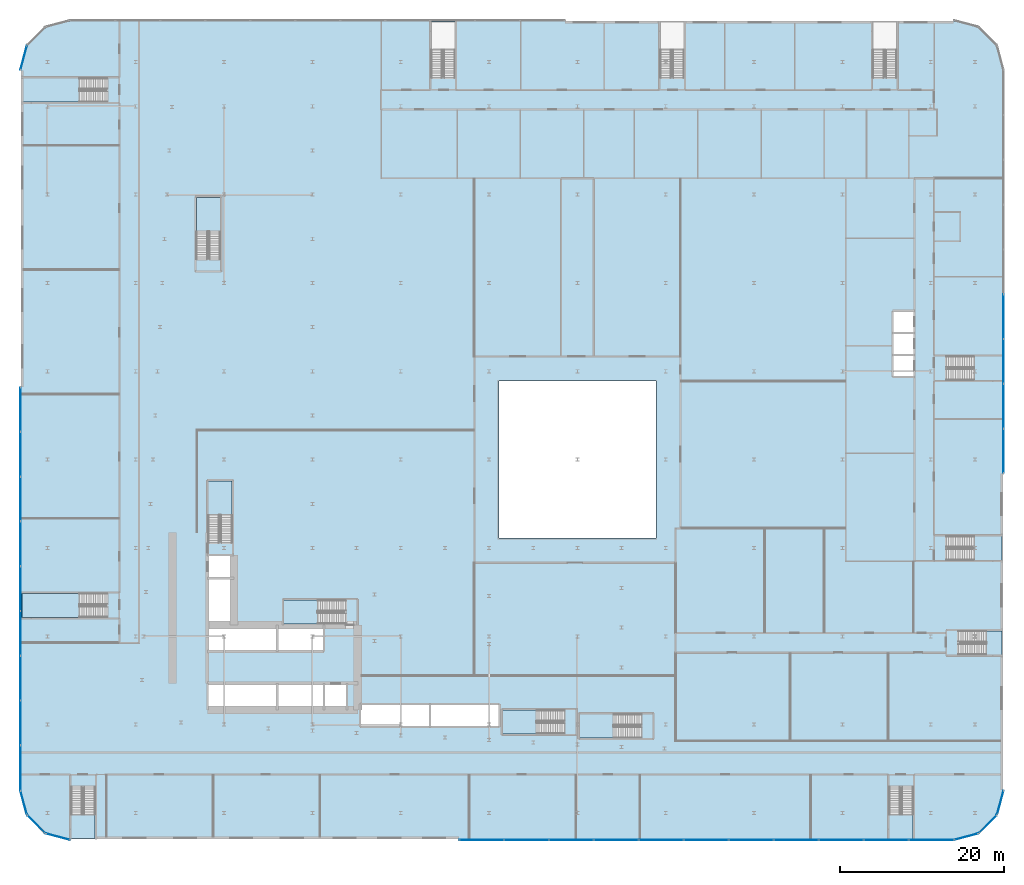
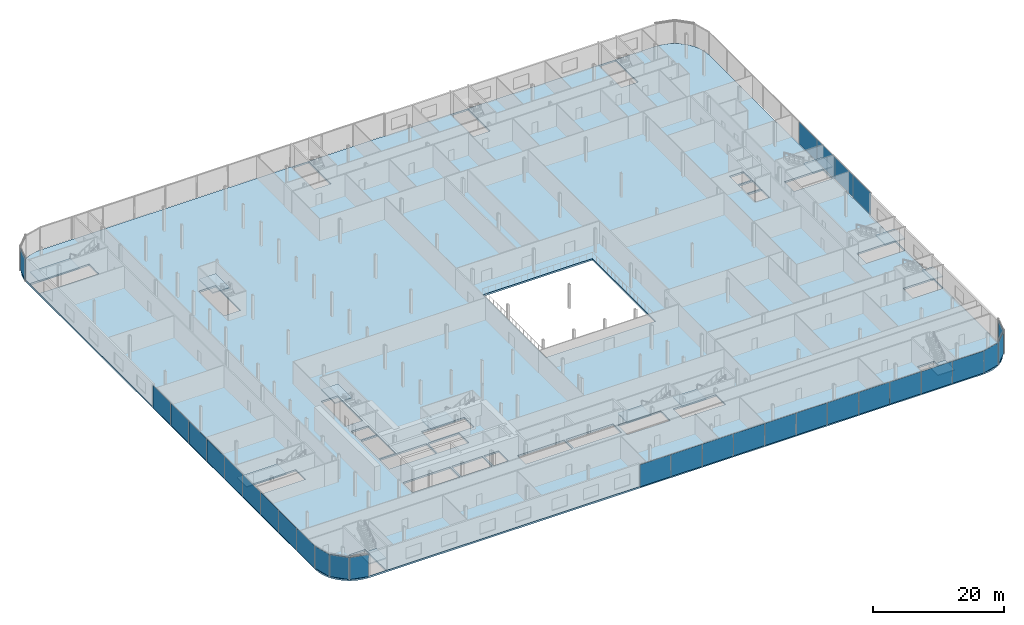
# One storey, part 24 of 47: 31 plates, 13 slabs, 22 elements without a shape of their own.
"""IFC4 building model written with IfcOpenShell, lengths in metres."""

from ifc_helpers import new_model, si_unit, direction, frame, origin, origin_2d, place, context, subcontext, project, spatial, polyline, rectangle, outline, extrude, material, layer, layer_set, type_object, element, aggregate, save


model = new_model("IFC4")

# Units and contexts
model_context = context("Model", 3, precision=1e-05, world=origin(), true_north=direction((0.0, 1.0)))
body_context = subcontext(model_context, "Body", "Model", "MODEL_VIEW")
ifc_project = project(units=[si_unit("LENGTHUNIT", "METRE"), si_unit("AREAUNIT", "SQUARE_METRE"), si_unit("VOLUMEUNIT", "CUBIC_METRE"), si_unit("PLANEANGLEUNIT", "RADIAN"), si_unit("MASSUNIT", "GRAM", prefix="KILO")], contexts=[model_context])

# Site, building, storey
site_placement = place(None, origin())
site = spatial("IfcSite", under=ifc_project, at=site_placement, CompositionType="ELEMENT")
building_placement = place(site_placement, origin())
building = spatial("IfcBuilding", under=site, at=building_placement, Name="Kheshtan School and Residences Tower", CompositionType="ELEMENT")
storey_placement = place(building_placement, frame((0.0, 0.0, 12.5)))
storey = spatial("IfcBuildingStorey", under=building, at=storey_placement, Name="L02", CompositionType="ELEMENT", Elevation=12.5)

# Curtain wall, plate
ifc_material_1 = material(Name="Clear low-e glass in thermally broken aluminium frame", Category="aluminium")
ifc_layer_1 = layer(ifc_material_1, 0.22509765625)
ifc_layer_set_1 = layer_set([ifc_layer_1], Name="Curtain wall CW-P")
curtain_wall_type = type_object("IfcCurtainWallType", Name="Curtain wall CW-P", PredefinedType="NOTDEFINED", material=ifc_layer_set_1)
curtain_wall_1_placement = place(storey_placement, origin())
curtain_wall_1 = element("IfcCurtainWall", 1, at=curtain_wall_1_placement, inside=storey, type_object=curtain_wall_type, Name="Curtain wall CWP1a", PredefinedType="NOTDEFINED")
ifc_layer_2 = layer(ifc_material_1, 0.035888671875)
ifc_layer_set_2 = layer_set([ifc_layer_2], Name="CW-P glass panel")
plate_type = type_object("IfcPlateType", Name="CW-P glass panel", PredefinedType="CURTAIN_PANEL", material=ifc_layer_set_2)
plate_1_placement = place(storey_placement, frame((12.305419921875, 105.52587890625, 0.0), z_axis=(0.0, 0.0, 1.0), x_axis=(0.258864833085, 0.965913556273, 0.0)))
plate_1 = element("IfcPlate", 2, at=plate_1_placement, type_object=plate_type, Name="CWP1a panel 1.1", PredefinedType="CURTAIN_PANEL", context=body_context, shape_type="SweptSolid", body=[
    extrude(rectangle(XDim=2.98583984375, YDim=0.035888671875, at=origin_2d()), origin(), (0.0, 0.0, 1.0), 4.110107421875),
])
aggregate(curtain_wall_1, [plate_1])

# Curtain wall, plates
curtain_wall_2_placement = place(storey_placement, origin())
curtain_wall_2 = element("IfcCurtainWall", 3, at=curtain_wall_2_placement, inside=storey, type_object=curtain_wall_type, Name="Curtain wall CWP8a", PredefinedType="NOTDEFINED")
plate_2_placement = place(storey_placement, frame((132.10009765625, 73.884521484375, 0.0), z_axis=(0.0, 0.0, 1.0), x_axis=(0.0, -1.0, 0.0)))
plate_2 = element("IfcPlate", 4, at=plate_2_placement, type_object=plate_type, Name="CWP8a panel 6.1", PredefinedType="CURTAIN_PANEL", context=body_context, shape_type="SweptSolid", body=[
    extrude(rectangle(XDim=5.41552734375, YDim=0.035888671875, at=origin_2d()), origin(), (0.0, 0.0, 1.0), 4.110107421875),
])
plate_3_placement = place(storey_placement, frame((132.10009765625, 68.408935546875, 0.0), z_axis=(0.0, 0.0, 1.0), x_axis=(0.0, -1.0, 0.0)))
plate_3 = element("IfcPlate", 5, at=plate_3_placement, type_object=plate_type, Name="CWP8a panel 7.1", PredefinedType="CURTAIN_PANEL", context=body_context, shape_type="SweptSolid", body=[
    extrude(rectangle(XDim=5.41552734375, YDim=0.035888671875, at=origin_2d()), origin(), (0.0, 0.0, 1.0), 4.110107421875),
])
plate_4_placement = place(storey_placement, frame((132.10009765625, 62.933349609375, 0.0), z_axis=(0.0, 0.0, 1.0), x_axis=(0.0, -1.0, 0.0)))
plate_4 = element("IfcPlate", 6, at=plate_4_placement, type_object=plate_type, Name="CWP8a panel 8.1", PredefinedType="CURTAIN_PANEL", context=body_context, shape_type="SweptSolid", body=[
    extrude(rectangle(XDim=5.41552734375, YDim=0.035888671875, at=origin_2d()), origin(), (0.0, 0.0, 1.0), 4.110107421875),
])
plate_5_placement = place(storey_placement, frame((132.10009765625, 57.47265625, 0.0), z_axis=(0.0, 0.0, 1.0), x_axis=(0.0, -1.0, 0.0)))
plate_5 = element("IfcPlate", 7, at=plate_5_placement, type_object=plate_type, Name="CWP8a panel 9.1", PredefinedType="CURTAIN_PANEL", context=body_context, shape_type="SweptSolid", body=[
    extrude(rectangle(XDim=5.385498046875, YDim=0.035888671875, at=origin_2d()), origin(), (0.0, 0.0, 1.0), 4.110107421875),
])
aggregate(curtain_wall_2, [plate_2, plate_3, plate_4, plate_5])

# Curtain wall, plate
curtain_wall_3_placement = place(storey_placement, origin())
curtain_wall_3 = element("IfcCurtainWall", 8, at=curtain_wall_3_placement, inside=storey, type_object=curtain_wall_type, Name="Curtain wall CWP9a", PredefinedType="NOTDEFINED")
plate_6_placement = place(storey_placement, frame((131.694580078125, 14.47412109375, 0.0), z_axis=(0.0, 0.0, 1.0), x_axis=(-0.258864833085, -0.965913556273, 0.0)))
plate_6 = element("IfcPlate", 9, at=plate_6_placement, type_object=plate_type, Name="CWP9a panel 1.1", PredefinedType="CURTAIN_PANEL", context=body_context, shape_type="SweptSolid", body=[
    extrude(rectangle(XDim=2.98583984375, YDim=0.035888671875, at=origin_2d()), origin(), (0.0, 0.0, 1.0), 4.110107421875),
])
aggregate(curtain_wall_3, [plate_6])

curtain_wall_4_placement = place(storey_placement, origin())
curtain_wall_4 = element("IfcCurtainWall", 10, at=curtain_wall_4_placement, inside=storey, type_object=curtain_wall_type, Name="Curtain wall CWP10a", PredefinedType="NOTDEFINED")
plate_7_placement = place(storey_placement, frame((130.168701171875, 11.831298828125, 0.0), z_axis=(0.0, 0.0, 1.0), x_axis=(-0.707106781187, -0.707106781187, 0.0)))
plate_7 = element("IfcPlate", 11, at=plate_7_placement, type_object=plate_type, Name="CWP10a panel 1.1", PredefinedType="CURTAIN_PANEL", context=body_context, shape_type="SweptSolid", body=[
    extrude(rectangle(XDim=2.985595703125, YDim=0.035888671875, at=origin_2d()), origin(), (0.0, 0.0, 1.0), 4.110107421875),
])
aggregate(curtain_wall_4, [plate_7])

curtain_wall_5_placement = place(storey_placement, origin())
curtain_wall_5 = element("IfcCurtainWall", 12, at=curtain_wall_5_placement, inside=storey, type_object=curtain_wall_type, Name="Curtain wall CWP11a", PredefinedType="NOTDEFINED")
plate_8_placement = place(storey_placement, frame((127.52587890625, 10.305419921875, 0.0), z_axis=(0.0, 0.0, 1.0), x_axis=(-0.965913556273, -0.258864833085, 0.0)))
plate_8 = element("IfcPlate", 13, at=plate_8_placement, type_object=plate_type, Name="CWP11a panel 1.1", PredefinedType="CURTAIN_PANEL", context=body_context, shape_type="SweptSolid", body=[
    extrude(rectangle(XDim=2.98583984375, YDim=0.035888671875, at=origin_2d()), origin(), (0.0, 0.0, 1.0), 4.110107421875),
])
aggregate(curtain_wall_5, [plate_8])

# Curtain wall, plates
curtain_wall_6_placement = place(storey_placement, origin())
curtain_wall_6 = element("IfcCurtainWall", 14, at=curtain_wall_6_placement, inside=storey, type_object=curtain_wall_type, Name="Curtain wall CWP12a", PredefinedType="NOTDEFINED")
plate_9_placement = place(storey_placement, frame((123.2783203125, 9.89990234375, 0.0), z_axis=(0.0, 0.0, 1.0), x_axis=(-1.0, 0.0, 0.0)))
plate_9 = element("IfcPlate", 15, at=plate_9_placement, type_object=plate_type, Name="CWP12a panel 1.1", PredefinedType="CURTAIN_PANEL", context=body_context, shape_type="SweptSolid", body=[
    extrude(rectangle(XDim=5.4931640625, YDim=0.035888671875, at=origin_2d()), origin(), (0.0, 0.0, 1.0), 4.110107421875),
])
plate_10_placement = place(storey_placement, frame((117.752685546875, 9.89990234375, 0.0), z_axis=(0.0, 0.0, 1.0), x_axis=(-1.0, 0.0, 0.0)))
plate_10 = element("IfcPlate", 16, at=plate_10_placement, type_object=plate_type, Name="CWP12a panel 2.1", PredefinedType="CURTAIN_PANEL", context=body_context, shape_type="SweptSolid", body=[
    extrude(rectangle(XDim=5.438232421875, YDim=0.035888671875, at=origin_2d()), origin(), (0.0, 0.0, 1.0), 4.110107421875),
])
plate_11_placement = place(storey_placement, frame((112.254638671875, 9.89990234375, 0.0), z_axis=(0.0, 0.0, 1.0), x_axis=(-1.0, 0.0, 0.0)))
plate_11 = element("IfcPlate", 17, at=plate_11_placement, type_object=plate_type, Name="CWP12a panel 3.1", PredefinedType="CURTAIN_PANEL", context=body_context, shape_type="SweptSolid", body=[
    extrude(rectangle(XDim=5.438232421875, YDim=0.035888671875, at=origin_2d()), origin(), (0.0, 0.0, 1.0), 4.110107421875),
])
plate_12_placement = place(storey_placement, frame((106.75634765625, 9.89990234375, 0.0), z_axis=(0.0, 0.0, 1.0), x_axis=(-1.0, 0.0, 0.0)))
plate_12 = element("IfcPlate", 18, at=plate_12_placement, type_object=plate_type, Name="CWP12a panel 4.1", PredefinedType="CURTAIN_PANEL", context=body_context, shape_type="SweptSolid", body=[
    extrude(rectangle(XDim=5.438232421875, YDim=0.035888671875, at=origin_2d()), origin(), (0.0, 0.0, 1.0), 4.110107421875),
])
plate_13_placement = place(storey_placement, frame((101.25830078125, 9.89990234375, 0.0), z_axis=(0.0, 0.0, 1.0), x_axis=(-1.0, 0.0, 0.0)))
plate_13 = element("IfcPlate", 19, at=plate_13_placement, type_object=plate_type, Name="CWP12a panel 5.1", PredefinedType="CURTAIN_PANEL", context=body_context, shape_type="SweptSolid", body=[
    extrude(rectangle(XDim=5.438232421875, YDim=0.035888671875, at=origin_2d()), origin(), (0.0, 0.0, 1.0), 4.110107421875),
])
plate_14_placement = place(storey_placement, frame((95.760009765625, 9.89990234375, 0.0), z_axis=(0.0, 0.0, 1.0), x_axis=(-1.0, 0.0, 0.0)))
plate_14 = element("IfcPlate", 20, at=plate_14_placement, type_object=plate_type, Name="CWP12a panel 6.1", PredefinedType="CURTAIN_PANEL", context=body_context, shape_type="SweptSolid", body=[
    extrude(rectangle(XDim=5.438232421875, YDim=0.035888671875, at=origin_2d()), origin(), (0.0, 0.0, 1.0), 4.110107421875),
])
plate_15_placement = place(storey_placement, frame((90.26171875, 9.89990234375, 0.0), z_axis=(0.0, 0.0, 1.0), x_axis=(-1.0, 0.0, 0.0)))
plate_15 = element("IfcPlate", 21, at=plate_15_placement, type_object=plate_type, Name="CWP12a panel 7.1", PredefinedType="CURTAIN_PANEL", context=body_context, shape_type="SweptSolid", body=[
    extrude(rectangle(XDim=5.438232421875, YDim=0.035888671875, at=origin_2d()), origin(), (0.0, 0.0, 1.0), 4.110107421875),
])
plate_16_placement = place(storey_placement, frame((84.763671875, 9.89990234375, 0.0), z_axis=(0.0, 0.0, 1.0), x_axis=(-1.0, 0.0, 0.0)))
plate_16 = element("IfcPlate", 22, at=plate_16_placement, type_object=plate_type, Name="CWP12a panel 8.1", PredefinedType="CURTAIN_PANEL", context=body_context, shape_type="SweptSolid", body=[
    extrude(rectangle(XDim=5.438232421875, YDim=0.035888671875, at=origin_2d()), origin(), (0.0, 0.0, 1.0), 4.110107421875),
])
plate_17_placement = place(storey_placement, frame((79.265380859375, 9.89990234375, 0.0), z_axis=(0.0, 0.0, 1.0), x_axis=(-1.0, 0.0, 0.0)))
plate_17 = element("IfcPlate", 23, at=plate_17_placement, type_object=plate_type, Name="CWP12a panel 9.1", PredefinedType="CURTAIN_PANEL", context=body_context, shape_type="SweptSolid", body=[
    extrude(rectangle(XDim=5.438232421875, YDim=0.035888671875, at=origin_2d()), origin(), (0.0, 0.0, 1.0), 4.110107421875),
])
plate_18_placement = place(storey_placement, frame((73.767333984375, 9.89990234375, 0.0), z_axis=(0.0, 0.0, 1.0), x_axis=(-1.0, 0.0, 0.0)))
plate_18 = element("IfcPlate", 24, at=plate_18_placement, type_object=plate_type, Name="CWP12a panel 10.1", PredefinedType="CURTAIN_PANEL", context=body_context, shape_type="SweptSolid", body=[
    extrude(rectangle(XDim=5.438232421875, YDim=0.035888671875, at=origin_2d()), origin(), (0.0, 0.0, 1.0), 4.110107421875),
])
plate_19_placement = place(storey_placement, frame((68.2841796875, 9.89990234375, 0.0), z_axis=(0.0, 0.0, 1.0), x_axis=(-1.0, 0.0, 0.0)))
plate_19 = element("IfcPlate", 25, at=plate_19_placement, type_object=plate_type, Name="CWP12a panel 11.1", PredefinedType="CURTAIN_PANEL", context=body_context, shape_type="SweptSolid", body=[
    extrude(rectangle(XDim=5.408203125, YDim=0.035888671875, at=origin_2d()), origin(), (0.0, 0.0, 1.0), 4.110107421875),
])
aggregate(curtain_wall_6, [plate_9, plate_10, plate_11, plate_12, plate_13, plate_14, plate_15, plate_16, plate_17, plate_18, plate_19])

# Curtain wall, plate
curtain_wall_7_placement = place(storey_placement, origin())
curtain_wall_7 = element("IfcCurtainWall", 26, at=curtain_wall_7_placement, inside=storey, type_object=curtain_wall_type, Name="Curtain wall CWP13a", PredefinedType="NOTDEFINED")
plate_20_placement = place(storey_placement, frame((16.47412109375, 10.305419921875, 0.0), z_axis=(0.0, 0.0, 1.0), x_axis=(-0.965913556273, 0.258864833085, 0.0)))
plate_20 = element("IfcPlate", 27, at=plate_20_placement, type_object=plate_type, Name="CWP13a panel 1.1", PredefinedType="CURTAIN_PANEL", context=body_context, shape_type="SweptSolid", body=[
    extrude(rectangle(XDim=2.98583984375, YDim=0.035888671875, at=origin_2d()), origin(), (0.0, 0.0, 1.0), 4.110107421875),
])
aggregate(curtain_wall_7, [plate_20])

curtain_wall_8_placement = place(storey_placement, origin())
curtain_wall_8 = element("IfcCurtainWall", 28, at=curtain_wall_8_placement, inside=storey, type_object=curtain_wall_type, Name="Curtain wall CWP14a", PredefinedType="NOTDEFINED")
plate_21_placement = place(storey_placement, frame((13.831298828125, 11.831298828125, 0.0), z_axis=(0.0, 0.0, 1.0), x_axis=(-0.707106781187, 0.707106781187, 0.0)))
plate_21 = element("IfcPlate", 29, at=plate_21_placement, type_object=plate_type, Name="CWP14a panel 1.1", PredefinedType="CURTAIN_PANEL", context=body_context, shape_type="SweptSolid", body=[
    extrude(rectangle(XDim=2.985595703125, YDim=0.035888671875, at=origin_2d()), origin(), (0.0, 0.0, 1.0), 4.110107421875),
])
aggregate(curtain_wall_8, [plate_21])

curtain_wall_9_placement = place(storey_placement, origin())
curtain_wall_9 = element("IfcCurtainWall", 30, at=curtain_wall_9_placement, inside=storey, type_object=curtain_wall_type, Name="Curtain wall CWP15a", PredefinedType="NOTDEFINED")
plate_22_placement = place(storey_placement, frame((12.305419921875, 14.47412109375, 0.0), z_axis=(0.0, 0.0, 1.0), x_axis=(-0.258864833085, 0.965913556273, 0.0)))
plate_22 = element("IfcPlate", 31, at=plate_22_placement, type_object=plate_type, Name="CWP15a panel 1.1", PredefinedType="CURTAIN_PANEL", context=body_context, shape_type="SweptSolid", body=[
    extrude(rectangle(XDim=2.98583984375, YDim=0.035888671875, at=origin_2d()), origin(), (0.0, 0.0, 1.0), 4.110107421875),
])
aggregate(curtain_wall_9, [plate_22])

# Curtain wall, plates
curtain_wall_10_placement = place(storey_placement, origin())
curtain_wall_10 = element("IfcCurtainWall", 32, at=curtain_wall_10_placement, inside=storey, type_object=curtain_wall_type, Name="Curtain wall CWP16a", PredefinedType="NOTDEFINED")
plate_23_placement = place(storey_placement, frame((11.89990234375, 18.71044921875, 0.0), z_axis=(0.0, 0.0, 1.0), x_axis=(0.0, 1.0, 0.0)))
plate_23 = element("IfcPlate", 33, at=plate_23_placement, type_object=plate_type, Name="CWP16a panel 1.1", PredefinedType="CURTAIN_PANEL", context=body_context, shape_type="SweptSolid", body=[
    extrude(rectangle(XDim=5.470458984375, YDim=0.035888671875, at=origin_2d()), origin(), (0.0, 0.0, 1.0), 4.110107421875),
])
plate_24_placement = place(storey_placement, frame((11.89990234375, 24.21337890625, 0.0), z_axis=(0.0, 0.0, 1.0), x_axis=(0.0, 1.0, 0.0)))
plate_24 = element("IfcPlate", 34, at=plate_24_placement, type_object=plate_type, Name="CWP16a panel 2.1", PredefinedType="CURTAIN_PANEL", context=body_context, shape_type="SweptSolid", body=[
    extrude(rectangle(XDim=5.41552734375, YDim=0.035888671875, at=origin_2d()), origin(), (0.0, 0.0, 1.0), 4.110107421875),
])
plate_25_placement = place(storey_placement, frame((11.89990234375, 29.68896484375, 0.0), z_axis=(0.0, 0.0, 1.0), x_axis=(0.0, 1.0, 0.0)))
plate_25 = element("IfcPlate", 35, at=plate_25_placement, type_object=plate_type, Name="CWP16a panel 3.1", PredefinedType="CURTAIN_PANEL", context=body_context, shape_type="SweptSolid", body=[
    extrude(rectangle(XDim=5.41552734375, YDim=0.035888671875, at=origin_2d()), origin(), (0.0, 0.0, 1.0), 4.110107421875),
])
plate_26_placement = place(storey_placement, frame((11.89990234375, 35.16455078125, 0.0), z_axis=(0.0, 0.0, 1.0), x_axis=(0.0, 1.0, 0.0)))
plate_26 = element("IfcPlate", 36, at=plate_26_placement, type_object=plate_type, Name="CWP16a panel 4.1", PredefinedType="CURTAIN_PANEL", context=body_context, shape_type="SweptSolid", body=[
    extrude(rectangle(XDim=5.41552734375, YDim=0.035888671875, at=origin_2d()), origin(), (0.0, 0.0, 1.0), 4.110107421875),
])
plate_27_placement = place(storey_placement, frame((11.89990234375, 40.639892578125, 0.0), z_axis=(0.0, 0.0, 1.0), x_axis=(0.0, 1.0, 0.0)))
plate_27 = element("IfcPlate", 37, at=plate_27_placement, type_object=plate_type, Name="CWP16a panel 5.1", PredefinedType="CURTAIN_PANEL", context=body_context, shape_type="SweptSolid", body=[
    extrude(rectangle(XDim=5.41552734375, YDim=0.035888671875, at=origin_2d()), origin(), (0.0, 0.0, 1.0), 4.110107421875),
])
plate_28_placement = place(storey_placement, frame((11.89990234375, 46.115478515625, 0.0), z_axis=(0.0, 0.0, 1.0), x_axis=(0.0, 1.0, 0.0)))
plate_28 = element("IfcPlate", 38, at=plate_28_placement, type_object=plate_type, Name="CWP16a panel 6.1", PredefinedType="CURTAIN_PANEL", context=body_context, shape_type="SweptSolid", body=[
    extrude(rectangle(XDim=5.41552734375, YDim=0.035888671875, at=origin_2d()), origin(), (0.0, 0.0, 1.0), 4.110107421875),
])
plate_29_placement = place(storey_placement, frame((11.89990234375, 51.591064453125, 0.0), z_axis=(0.0, 0.0, 1.0), x_axis=(0.0, 1.0, 0.0)))
plate_29 = element("IfcPlate", 39, at=plate_29_placement, type_object=plate_type, Name="CWP16a panel 7.1", PredefinedType="CURTAIN_PANEL", context=body_context, shape_type="SweptSolid", body=[
    extrude(rectangle(XDim=5.41552734375, YDim=0.035888671875, at=origin_2d()), origin(), (0.0, 0.0, 1.0), 4.110107421875),
])
plate_30_placement = place(storey_placement, frame((11.89990234375, 57.066650390625, 0.0), z_axis=(0.0, 0.0, 1.0), x_axis=(0.0, 1.0, 0.0)))
plate_30 = element("IfcPlate", 40, at=plate_30_placement, type_object=plate_type, Name="CWP16a panel 8.1", PredefinedType="CURTAIN_PANEL", context=body_context, shape_type="SweptSolid", body=[
    extrude(rectangle(XDim=5.41552734375, YDim=0.035888671875, at=origin_2d()), origin(), (0.0, 0.0, 1.0), 4.110107421875),
])
plate_31_placement = place(storey_placement, frame((11.89990234375, 62.52734375, 0.0), z_axis=(0.0, 0.0, 1.0), x_axis=(0.0, 1.0, 0.0)))
plate_31 = element("IfcPlate", 41, at=plate_31_placement, type_object=plate_type, Name="CWP16a panel 9.1", PredefinedType="CURTAIN_PANEL", context=body_context, shape_type="SweptSolid", body=[
    extrude(rectangle(XDim=5.385498046875, YDim=0.035888671875, at=origin_2d()), origin(), (0.0, 0.0, 1.0), 4.110107421875),
])
aggregate(curtain_wall_10, [plate_23, plate_24, plate_25, plate_26, plate_27, plate_28, plate_29, plate_30, plate_31])

# Slab
ifc_material_2 = material(Name="Concrete C40/50", Category="concrete")
ifc_layer_3 = layer(ifc_material_2, 0.320068359375)
ifc_layer_set_3 = layer_set([ifc_layer_3], Name="Floor slab 320 Concrete C40/50")
slab_type_1 = type_object("IfcSlabType", Name="Floor slab 320 Concrete C40/50", PredefinedType="FLOOR", material=ifc_layer_set_3)
slab_1_placement = place(storey_placement, frame((0.0, 0.0, -0.320068359375)))
element("IfcSlab", 42, at=slab_1_placement, inside=storey, type_object=slab_type_1, Name="Floor slab L02", PredefinedType="FLOOR", context=body_context, shape_type="SweptSolid", body=[
    extrude(outline(polyline([(131.196044921875, 107.0), (131.637939453125, 106.052001953125), (131.908935546875, 105.0419921875), (132.0, 104.0), (132.0, 16.0), (131.908935546875, 14.9580078125), (131.637939453125, 13.947998046875), (131.196044921875, 13.0), (130.595947265625, 12.14306640625), (129.85693359375, 11.404052734375), (129.0, 10.803955078125), (128.052001953125, 10.362060546875), (127.0419921875, 10.091064453125), (126.0, 10.0), (18.0, 10.0), (16.9580078125, 10.091064453125), (15.947998046875, 10.362060546875), (15.0, 10.803955078125), (14.14306640625, 11.404052734375), (13.404052734375, 12.14306640625), (12.803955078125, 13.0), (12.362060546875, 13.947998046875), (12.091064453125, 14.9580078125), (12.0, 16.0), (12.0, 104.0), (12.091064453125, 105.0419921875), (12.362060546875, 106.052001953125), (12.803955078125, 107.0), (13.404052734375, 107.85693359375), (14.14306640625, 108.595947265625), (15.0, 109.196044921875), (15.947998046875, 109.637939453125), (16.9580078125, 109.908935546875), (18.0, 110.0), (126.0, 110.0), (127.0419921875, 109.908935546875), (128.052001953125, 109.637939453125), (129.0, 109.196044921875), (129.85693359375, 108.595947265625), (130.595947265625, 107.85693359375), (131.196044921875, 107.0)]), holes=[polyline([(21.050048828125, 10.10009765625), (21.050048828125, 16.389892578125), (19.64990234375, 16.389892578125), (19.64990234375, 16.39990234375), (18.10009765625, 16.39990234375), (18.10009765625, 10.10009765625), (21.050048828125, 10.10009765625)]), polyline([(53.52490234375, 26.425048828125), (53.52490234375, 23.824951171875), (61.824951171875, 23.824951171875), (61.824951171875, 26.425048828125), (53.52490234375, 26.425048828125)]), polyline([(34.875, 28.925048828125), (34.875, 25.925048828125), (43.175048828125, 25.925048828125), (43.175048828125, 28.925048828125), (34.875, 28.925048828125)]), polyline([(48.875, 25.925048828125), (48.875, 28.925048828125), (43.425048828125, 28.925048828125), (43.425048828125, 25.925048828125), (48.875, 25.925048828125)]), polyline([(49.125, 25.925048828125), (51.72509765625, 25.925048828125), (51.72509765625, 28.925048828125), (49.125, 28.925048828125), (49.125, 25.925048828125)]), polyline([(34.875, 36.074951171875), (34.875, 33.074951171875), (43.175048828125, 33.074951171875), (43.175048828125, 36.074951171875), (34.875, 36.074951171875)]), polyline([(48.875, 33.074951171875), (48.875, 36.074951171875), (43.425048828125, 36.074951171875), (43.425048828125, 33.074951171875), (48.875, 33.074951171875)]), polyline([(51.639892578125, 37.699951171875), (51.64990234375, 37.699951171875), (51.64990234375, 39.25), (44.090087890625, 39.25), (44.090087890625, 36.300048828125), (51.639892578125, 36.300048828125), (51.639892578125, 37.699951171875)]), polyline([(22.5, 38.5), (22.5, 40.050048828125), (12.10009765625, 40.050048828125), (12.10009765625, 37.10009765625), (22.489990234375, 37.10009765625), (22.489990234375, 38.5), (22.5, 38.5)]), polyline([(34.875, 36.324951171875), (37.875, 36.324951171875), (37.875, 41.77490234375), (34.875, 41.77490234375), (34.875, 36.324951171875)]), polyline([(34.875, 42.02490234375), (37.875, 42.02490234375), (37.875, 44.625), (34.875, 44.625), (34.875, 42.02490234375)]), polyline([(34.85009765625, 46.260009765625), (36.25, 46.260009765625), (36.25, 46.25), (37.800048828125, 46.25), (37.800048828125, 53.81005859375), (34.85009765625, 53.81005859375), (34.85009765625, 46.260009765625)]), polyline([(33.39990234375, 80.909912109375), (34.800048828125, 80.909912109375), (34.800048828125, 80.89990234375), (36.35009765625, 80.89990234375), (36.35009765625, 88.4599609375), (33.39990234375, 88.4599609375), (33.39990234375, 80.909912109375)]), polyline([(22.5, 101.5), (22.5, 103.050048828125), (12.10009765625, 103.050048828125), (12.10009765625, 100.10009765625), (22.489990234375, 100.10009765625), (22.489990234375, 101.5), (22.5, 101.5)]), polyline([(119.64990234375, 16.389892578125), (119.64990234375, 16.39990234375), (118.10009765625, 16.39990234375), (118.10009765625, 10.10009765625), (121.050048828125, 10.10009765625), (121.050048828125, 16.389892578125), (119.64990234375, 16.389892578125)]), polyline([(87.820068359375, 23.75), (87.820068359375, 25.300048828125), (80.260009765625, 25.300048828125), (80.260009765625, 22.35009765625), (87.81005859375, 22.35009765625), (87.81005859375, 23.75), (87.820068359375, 23.75)]), polyline([(78.409912109375, 24.25), (78.409912109375, 25.800048828125), (70.85009765625, 25.800048828125), (70.85009765625, 22.85009765625), (78.39990234375, 22.85009765625), (78.39990234375, 24.25), (78.409912109375, 24.25)]), polyline([(70.375, 23.824951171875), (70.375, 26.425048828125), (62.074951171875, 26.425048828125), (62.074951171875, 23.824951171875), (70.375, 23.824951171875)]), polyline([(126.590087890625, 35.47509765625), (126.590087890625, 34.074951171875), (126.580078125, 34.074951171875), (126.580078125, 32.52490234375), (131.89990234375, 32.52490234375), (131.89990234375, 35.47509765625), (126.590087890625, 35.47509765625)]), polyline([(125.110107421875, 47.050048828125), (125.110107421875, 45.64990234375), (125.10009765625, 45.64990234375), (125.10009765625, 44.10009765625), (131.89990234375, 44.10009765625), (131.89990234375, 47.050048828125), (125.110107421875, 47.050048828125)]), polyline([(70.39990234375, 46.800048828125), (89.60009765625, 46.800048828125), (89.60009765625, 66.0), (70.39990234375, 66.0), (70.39990234375, 46.800048828125)]), polyline([(125.110107421875, 67.64990234375), (125.10009765625, 67.64990234375), (125.10009765625, 66.10009765625), (131.89990234375, 66.10009765625), (131.89990234375, 69.050048828125), (125.110107421875, 69.050048828125), (125.110107421875, 67.64990234375)]), polyline([(118.625, 66.625), (121.074951171875, 66.625), (121.074951171875, 69.074951171875), (118.625, 69.074951171875), (118.625, 66.625)]), polyline([(118.625, 69.324951171875), (121.074951171875, 69.324951171875), (121.074951171875, 71.77490234375), (118.625, 71.77490234375), (118.625, 69.324951171875)]), polyline([(118.625, 72.02490234375), (121.074951171875, 72.02490234375), (121.074951171875, 74.47509765625), (118.625, 74.47509765625), (118.625, 72.02490234375)]), polyline([(65.050048828125, 109.89990234375), (62.10009765625, 109.89990234375), (62.10009765625, 103.110107421875), (63.5, 103.110107421875), (63.5, 103.10009765625), (65.050048828125, 103.10009765625), (65.050048828125, 109.89990234375)]), polyline([(93.050048828125, 109.89990234375), (90.10009765625, 109.89990234375), (90.10009765625, 103.110107421875), (91.5, 103.110107421875), (91.5, 103.10009765625), (93.050048828125, 103.10009765625), (93.050048828125, 109.89990234375)]), polyline([(119.050048828125, 109.89990234375), (116.10009765625, 109.89990234375), (116.10009765625, 103.110107421875), (117.5, 103.110107421875), (117.5, 103.10009765625), (119.050048828125, 103.10009765625), (119.050048828125, 109.89990234375)])]), origin(), (0.0, 0.0, 1.0), 0.320068359375),
])

# Stair, slab
stair_type = type_object("IfcStairType", Name="Exit stair, half-turn", PredefinedType="HALF_TURN_STAIR", material=ifc_material_2)
stair_1_placement = place(storey_placement, origin())
stair_1 = element("IfcStair", 43, at=stair_1_placement, inside=storey, type_object=stair_type, Name="L02 Protected Exit Stair ST1", PredefinedType="HALF_TURN_STAIR")
ifc_layer_4 = layer(ifc_material_2, 0.199951171875)
ifc_layer_set_4 = layer_set([ifc_layer_4], Name="Stair landing 200 Concrete C40/50")
slab_type_2 = type_object("IfcSlabType", Name="Stair landing 200 Concrete C40/50", PredefinedType="LANDING", material=ifc_layer_set_4)
slab_2_placement = place(storey_placement, frame((0.0, 0.0, 2.050048828125)))
slab_2 = element("IfcSlab", 44, at=slab_2_placement, type_object=slab_type_2, Name="ST1 landing 1", PredefinedType="LANDING", context=body_context, shape_type="SweptSolid", body=[
    extrude(outline(polyline([(48.2900390625, 39.25), (44.090087890625, 39.25), (44.090087890625, 36.300048828125), (48.2900390625, 36.300048828125), (48.2900390625, 39.25)])), origin(), (0.0, 0.0, 1.0), 0.199951171875),
])
aggregate(stair_1, [slab_2])

stair_2_placement = place(storey_placement, origin())
stair_2 = element("IfcStair", 45, at=stair_2_placement, inside=storey, type_object=stair_type, Name="L02 Protected Exit Stair ST2", PredefinedType="HALF_TURN_STAIR")
slab_3_placement = place(storey_placement, frame((0.0, 0.0, 2.050048828125)))
slab_3 = element("IfcSlab", 46, at=slab_3_placement, type_object=slab_type_2, Name="ST2 landing 1", PredefinedType="LANDING", context=body_context, shape_type="SweptSolid", body=[
    extrude(outline(polyline([(37.800048828125, 49.610107421875), (37.800048828125, 53.81005859375), (34.85009765625, 53.81005859375), (34.85009765625, 49.610107421875), (37.800048828125, 49.610107421875)])), origin(), (0.0, 0.0, 1.0), 0.199951171875),
])
aggregate(stair_2, [slab_3])

stair_3_placement = place(storey_placement, origin())
stair_3 = element("IfcStair", 47, at=stair_3_placement, inside=storey, type_object=stair_type, Name="L02 Protected Exit Stair ST3", PredefinedType="HALF_TURN_STAIR")
slab_4_placement = place(storey_placement, frame((0.0, 0.0, 2.050048828125)))
slab_4 = element("IfcSlab", 48, at=slab_4_placement, type_object=slab_type_2, Name="ST3 landing 1", PredefinedType="LANDING", context=body_context, shape_type="SweptSolid", body=[
    extrude(outline(polyline([(36.35009765625, 84.260009765625), (36.35009765625, 88.4599609375), (33.39990234375, 88.4599609375), (33.39990234375, 84.260009765625), (36.35009765625, 84.260009765625)])), origin(), (0.0, 0.0, 1.0), 0.199951171875),
])
aggregate(stair_3, [slab_4])

stair_4_placement = place(storey_placement, origin())
stair_4 = element("IfcStair", 49, at=stair_4_placement, inside=storey, type_object=stair_type, Name="L02 Protected Exit Stair ST4", PredefinedType="HALF_TURN_STAIR")
slab_5_placement = place(storey_placement, frame((0.0, 0.0, 2.050048828125)))
slab_5 = element("IfcSlab", 50, at=slab_5_placement, type_object=slab_type_2, Name="ST4 landing 1", PredefinedType="LANDING", context=body_context, shape_type="SweptSolid", body=[
    extrude(outline(polyline([(84.4599609375, 25.300048828125), (80.260009765625, 25.300048828125), (80.260009765625, 22.35009765625), (84.4599609375, 22.35009765625), (84.4599609375, 25.300048828125)])), origin(), (0.0, 0.0, 1.0), 0.199951171875),
])
aggregate(stair_4, [slab_5])

stair_5_placement = place(storey_placement, origin())
stair_5 = element("IfcStair", 51, at=stair_5_placement, inside=storey, type_object=stair_type, Name="L02 Protected Exit Stair ST5", PredefinedType="HALF_TURN_STAIR")
slab_6_placement = place(storey_placement, frame((0.0, 0.0, 2.050048828125)))
slab_6 = element("IfcSlab", 52, at=slab_6_placement, type_object=slab_type_2, Name="ST5 landing 1", PredefinedType="LANDING", context=body_context, shape_type="SweptSolid", body=[
    extrude(outline(polyline([(75.050048828125, 25.800048828125), (70.85009765625, 25.800048828125), (70.85009765625, 22.85009765625), (75.050048828125, 22.85009765625), (75.050048828125, 25.800048828125)])), origin(), (0.0, 0.0, 1.0), 0.199951171875),
])
aggregate(stair_5, [slab_6])

stair_6_placement = place(storey_placement, origin())
stair_6 = element("IfcStair", 53, at=stair_6_placement, inside=storey, type_object=stair_type, Name="L02 Civic Exit Stair 012-037", PredefinedType="HALF_TURN_STAIR")
slab_7_placement = place(storey_placement, frame((0.0, 0.0, 2.050048828125)))
slab_7 = element("IfcSlab", 54, at=slab_7_placement, type_object=slab_type_2, Name="PS-012-037 landing 1", PredefinedType="LANDING", context=body_context, shape_type="SweptSolid", body=[
    extrude(outline(polyline([(19.139892578125, 40.050048828125), (12.10009765625, 40.050048828125), (12.10009765625, 37.10009765625), (19.139892578125, 37.10009765625), (19.139892578125, 40.050048828125)])), origin(), (0.0, 0.0, 1.0), 0.199951171875),
])
aggregate(stair_6, [slab_7])

stair_7_placement = place(storey_placement, origin())
stair_7 = element("IfcStair", 55, at=stair_7_placement, inside=storey, type_object=stair_type, Name="L02 Civic Exit Stair 012-100", PredefinedType="HALF_TURN_STAIR")
slab_8_placement = place(storey_placement, frame((0.0, 0.0, 2.050048828125)))
slab_8 = element("IfcSlab", 56, at=slab_8_placement, type_object=slab_type_2, Name="PS-012-100 landing 1", PredefinedType="LANDING", context=body_context, shape_type="SweptSolid", body=[
    extrude(outline(polyline([(19.139892578125, 103.050048828125), (12.10009765625, 103.050048828125), (12.10009765625, 100.10009765625), (19.139892578125, 100.10009765625), (19.139892578125, 103.050048828125)])), origin(), (0.0, 0.0, 1.0), 0.199951171875),
])
aggregate(stair_7, [slab_8])

stair_8_placement = place(storey_placement, origin())
stair_8 = element("IfcStair", 57, at=stair_8_placement, inside=storey, type_object=stair_type, Name="L02 Civic Exit Stair 018-010", PredefinedType="HALF_TURN_STAIR")
slab_9_placement = place(storey_placement, frame((0.0, 0.0, 2.050048828125)))
slab_9 = element("IfcSlab", 58, at=slab_9_placement, type_object=slab_type_2, Name="PS-018-010 landing 1", PredefinedType="LANDING", context=body_context, shape_type="SweptSolid", body=[
    extrude(outline(polyline([(18.10009765625, 13.0400390625), (18.10009765625, 10.10009765625), (21.050048828125, 10.10009765625), (21.050048828125, 13.0400390625), (18.10009765625, 13.0400390625)])), origin(), (0.0, 0.0, 1.0), 0.199951171875),
])
aggregate(stair_8, [slab_9])

stair_9_placement = place(storey_placement, origin())
stair_9 = element("IfcStair", 59, at=stair_9_placement, inside=storey, type_object=stair_type, Name="L02 Civic Exit Stair 118-010", PredefinedType="HALF_TURN_STAIR")
slab_10_placement = place(storey_placement, frame((0.0, 0.0, 2.050048828125)))
slab_10 = element("IfcSlab", 60, at=slab_10_placement, type_object=slab_type_2, Name="PS-118-010 landing 1", PredefinedType="LANDING", context=body_context, shape_type="SweptSolid", body=[
    extrude(outline(polyline([(118.10009765625, 13.0400390625), (118.10009765625, 10.10009765625), (121.050048828125, 10.10009765625), (121.050048828125, 13.0400390625), (118.10009765625, 13.0400390625)])), origin(), (0.0, 0.0, 1.0), 0.199951171875),
])
aggregate(stair_9, [slab_10])

stair_10_placement = place(storey_placement, origin())
stair_10 = element("IfcStair", 61, at=stair_10_placement, inside=storey, type_object=stair_type, Name="L02 School Exit Stair 124-044", PredefinedType="HALF_TURN_STAIR")
slab_11_placement = place(storey_placement, frame((0.0, 0.0, 2.050048828125)))
slab_11 = element("IfcSlab", 62, at=slab_11_placement, type_object=slab_type_2, Name="PS-124-044 landing 1", PredefinedType="LANDING", context=body_context, shape_type="SweptSolid", body=[
    extrude(outline(polyline([(128.4599609375, 44.10009765625), (131.89990234375, 44.10009765625), (131.89990234375, 47.050048828125), (128.4599609375, 47.050048828125), (128.4599609375, 44.10009765625)])), origin(), (0.0, 0.0, 1.0), 0.199951171875),
])
aggregate(stair_10, [slab_11])

stair_11_placement = place(storey_placement, origin())
stair_11 = element("IfcStair", 63, at=stair_11_placement, inside=storey, type_object=stair_type, Name="L02 School Exit Stair 124-066", PredefinedType="HALF_TURN_STAIR")
slab_12_placement = place(storey_placement, frame((0.0, 0.0, 2.050048828125)))
slab_12 = element("IfcSlab", 64, at=slab_12_placement, type_object=slab_type_2, Name="PS-124-066 landing 1", PredefinedType="LANDING", context=body_context, shape_type="SweptSolid", body=[
    extrude(outline(polyline([(128.4599609375, 66.10009765625), (131.89990234375, 66.10009765625), (131.89990234375, 69.050048828125), (128.4599609375, 69.050048828125), (128.4599609375, 66.10009765625)])), origin(), (0.0, 0.0, 1.0), 0.199951171875),
])
aggregate(stair_11, [slab_12])

stair_12_placement = place(storey_placement, origin())
stair_12 = element("IfcStair", 65, at=stair_12_placement, inside=storey, type_object=stair_type, Name="L02 Civic Exit Stair 125-032", PredefinedType="HALF_TURN_STAIR")
slab_13_placement = place(storey_placement, frame((0.0, 0.0, 2.050048828125)))
slab_13 = element("IfcSlab", 66, at=slab_13_placement, type_object=slab_type_2, Name="PS-125-032 landing 1", PredefinedType="LANDING", context=body_context, shape_type="SweptSolid", body=[
    extrude(outline(polyline([(129.93994140625, 32.52490234375), (131.89990234375, 32.52490234375), (131.89990234375, 35.47509765625), (129.93994140625, 35.47509765625), (129.93994140625, 32.52490234375)])), origin(), (0.0, 0.0, 1.0), 0.199951171875),
])
aggregate(stair_12, [slab_13])

save(model, "model.ifc")
